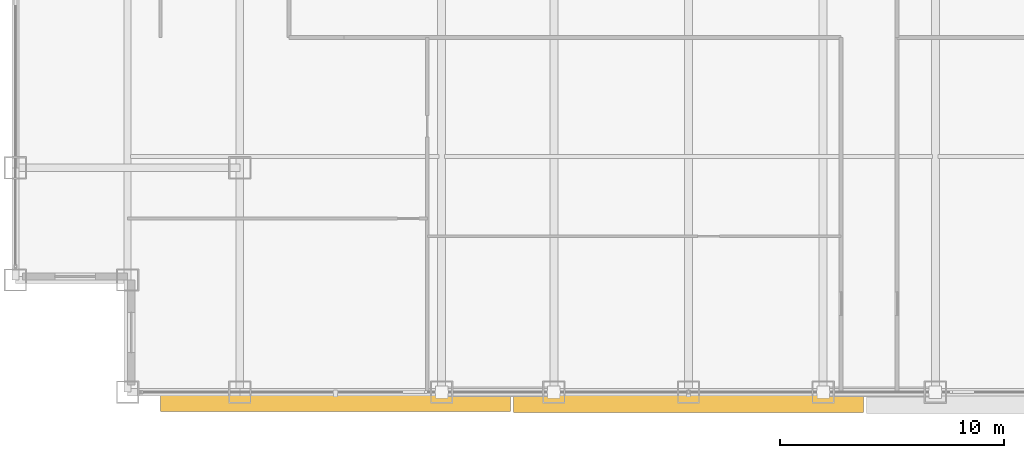
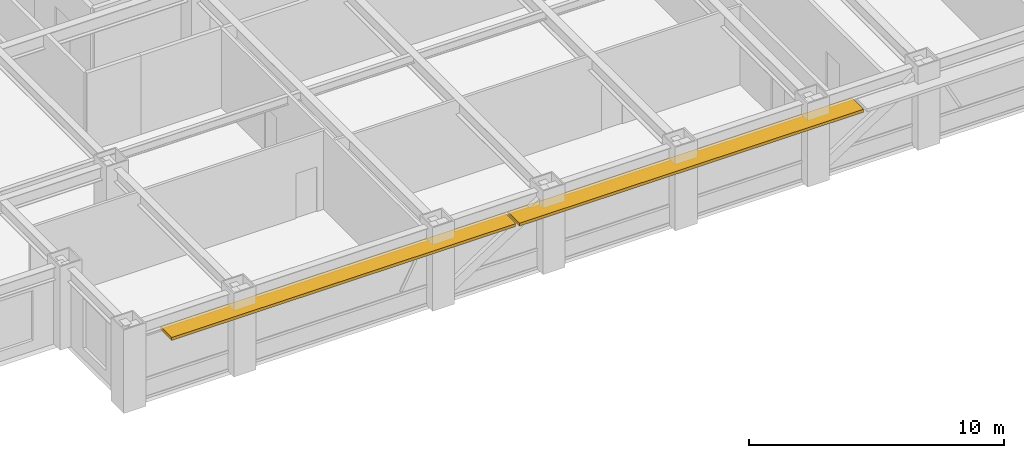
# One storey, part 25 of 29: 2 shading devices.
"""IFC4 building model written with IfcOpenShell, lengths in metres."""

from ifc_helpers import new_model, si_unit, direction, frame, origin, origin_2d, place, context, subcontext, project, spatial, rectangle, extrude, source, transform, mapped, material, layer, layer_set, type_object, element, save


model = new_model("IFC4")

# Units and contexts
model_context = context("Model", 3, precision=1e-05, world=origin(), true_north=direction((0.0, 1.0)))
body_context = subcontext(model_context, "Body", "Model", "MODEL_VIEW")
ifc_project = project(units=[si_unit("LENGTHUNIT", "METRE"), si_unit("AREAUNIT", "SQUARE_METRE"), si_unit("VOLUMEUNIT", "CUBIC_METRE"), si_unit("PLANEANGLEUNIT", "RADIAN"), si_unit("MASSUNIT", "GRAM", prefix="KILO")], contexts=[model_context])

# Site, building, storey
site_placement = place(None, origin())
site = spatial("IfcSite", under=ifc_project, at=site_placement, CompositionType="ELEMENT")
building_placement = place(site_placement, origin())
building = spatial("IfcBuilding", under=site, at=building_placement, Name="Khorayat Bourse Tower", CompositionType="ELEMENT")
storey_placement = place(building_placement, frame((0.0, 0.0, 239.10009765625)))
storey = spatial("IfcBuildingStorey", under=building, at=storey_placement, Name="L56", CompositionType="ELEMENT", Elevation=239.10009765625)

# Shading devices
ifc_material = material(Name="Precast concrete C45/55", Category="concrete")
ifc_layer = layer(ifc_material, 0.139892578125)
ifc_layer_set = layer_set([ifc_layer], Name="Precast concrete C45/55")
shading_device_type = type_object("IfcShadingDeviceType", Name="SHD-WAVE-TRAY-A", PredefinedType="USERDEFINED", material=ifc_layer_set)
shared_shape_1 = source(origin(), body_context, "Body", "SweptSolid", [
    extrude(rectangle(XDim=15.59326171875, YDim=0.875244140625, at=origin_2d()), origin(), (0.0, 0.0, 1.0), 0.139892578125),
])
shading_device_1_placement = place(storey_placement, frame((-15.7333984375, -30.41748046875, 3.02978515625), z_axis=(0.0, 0.0, 1.0), x_axis=(1.0, 0.0, 0.0)))
element("IfcShadingDevice", 1, at=shading_device_1_placement, inside=storey, type_object=shading_device_type, Name="L56 Sinusoidal Wave Sunshade Tray S-1", ObjectType="SUNSHADE", PredefinedType="USERDEFINED", context=body_context, shape_type="MappedRepresentation", body=[
    mapped(shared_shape_1, transform((0.0, 0.0, 0.0), scale=1.0)),
])
shared_shape_2 = source(origin(), body_context, "Body", "SweptSolid", [
    extrude(rectangle(XDim=15.59326171875, YDim=0.925048828125, at=origin_2d()), origin(), (0.0, 0.0, 1.0), 0.139892578125),
])
shading_device_2_placement = place(storey_placement, frame((0.0, -30.4423828125, 3.02978515625), z_axis=(0.0, 0.0, 1.0), x_axis=(1.0, 0.0, 0.0)))
element("IfcShadingDevice", 2, at=shading_device_2_placement, inside=storey, type_object=shading_device_type, Name="L56 Sinusoidal Wave Sunshade Tray S-2", ObjectType="SUNSHADE", PredefinedType="USERDEFINED", context=body_context, shape_type="MappedRepresentation", body=[
    mapped(shared_shape_2, transform((0.0, 0.0, 0.0), scale=1.0)),
])

save(model, "model.ifc")
